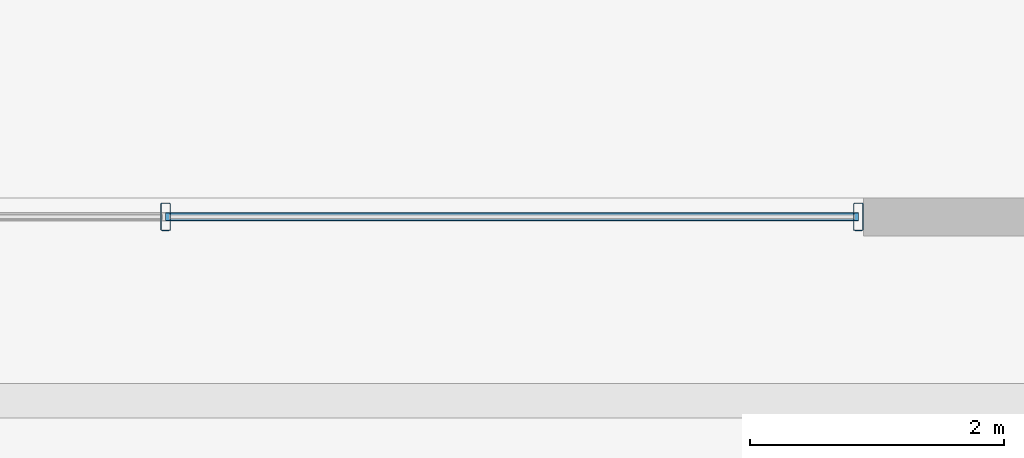
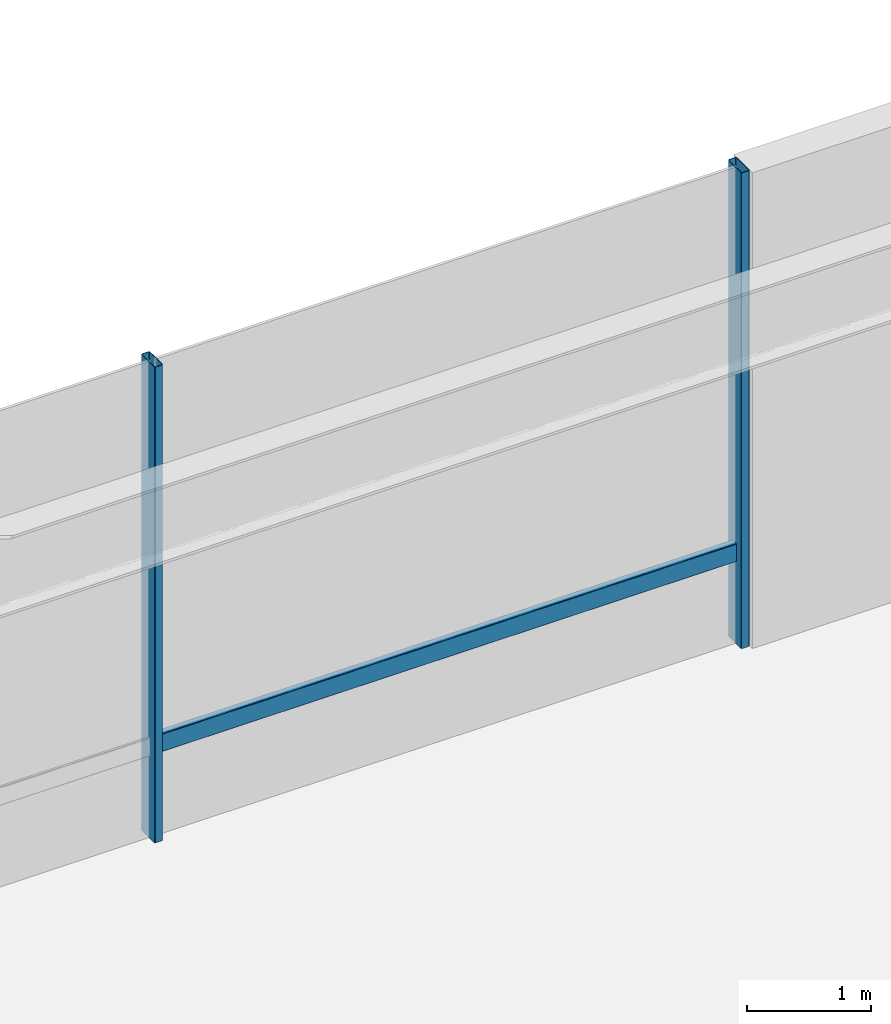
# One storey, part 16 of 38: 3 members, 1 element without a shape of its own.
"""IFC4 building model written with IfcOpenShell, lengths in metres."""

from ifc_helpers import new_model, si_unit, direction, frame, origin, origin_2d, place, context, subcontext, project, spatial, hollow_rectangle, extrude, material, layer, layer_set, material_profile, profile_set, type_object, element, aggregate, save


model = new_model("IFC4")

# Units and contexts
model_context = context("Model", 3, precision=1e-05, world=origin(), true_north=direction((0.0, 1.0)))
body_context = subcontext(model_context, "Body", "Model", "MODEL_VIEW")
ifc_project = project(units=[si_unit("LENGTHUNIT", "METRE"), si_unit("AREAUNIT", "SQUARE_METRE"), si_unit("VOLUMEUNIT", "CUBIC_METRE"), si_unit("PLANEANGLEUNIT", "RADIAN"), si_unit("MASSUNIT", "GRAM", prefix="KILO")], contexts=[model_context])

# Site, building, storey
site_placement = place(None, origin())
site = spatial("IfcSite", under=ifc_project, at=site_placement, CompositionType="ELEMENT")
building_placement = place(site_placement, origin())
building = spatial("IfcBuilding", under=site, at=building_placement, Name="Korimba Cascade Residences", CompositionType="ELEMENT")
storey_placement = place(building_placement, frame((0.0, 0.0, 19.0)))
storey = spatial("IfcBuildingStorey", under=building, at=storey_placement, Name="L04", CompositionType="ELEMENT", Elevation=19.0)

# Curtain wall, members
ifc_material_1 = material(Name="Anodised Aluminium Curtain Wall Framing", Category="aluminium")
ifc_layer = layer(ifc_material_1, 0.179931640625)
ifc_layer_set = layer_set([ifc_layer], Name="Anodised Aluminium Curtain Wall Framing")
curtain_wall_type = type_object("IfcCurtainWallType", Name="CW-POD-SYS1", PredefinedType="NOTDEFINED", material=ifc_layer_set)
curtain_wall_placement = place(storey_placement, origin())
curtain_wall = element("IfcCurtainWall", 1, at=curtain_wall_placement, inside=storey, type_object=curtain_wall_type, Name="L04 Curtain Wall CW-L04-POD-N", PredefinedType="NOTDEFINED")
ifc_material_2 = material(Name="Anodised Aluminium Mullion", Category="aluminium")
ifc_material_profile_1 = material_profile(ifc_material_2, hollow_rectangle(XDim=0.080078125, YDim=0.219970703125, WallThickness=0.00634765625, InnerFilletRadius=0.00634765625, OuterFilletRadius=0.0126953125, at=origin_2d()), Name="Anodised Aluminium Mullion")
ifc_profile_set_1 = profile_set([ifc_material_profile_1], Name="Anodised Aluminium Mullion")
member_type_1 = type_object("IfcMemberType", Name="CWM-MUL-220", PredefinedType="MULLION", material=ifc_profile_set_1)
member_1_placement = place(storey_placement, frame((107.9599609375, 99.050048828125, 0.0), z_axis=(0.0, 0.0, 1.0), x_axis=(-1.0, 0.0, 0.0)))
member_1 = element("IfcMember", 2, at=member_1_placement, type_object=member_type_1, Name="CW-L04-POD-N Mullion 1", PredefinedType="MULLION", context=body_context, shape_type="SweptSolid", body=[
    extrude(hollow_rectangle(XDim=0.080078125, YDim=0.219970703125, WallThickness=0.00634765625, InnerFilletRadius=0.00634765625, OuterFilletRadius=0.0126953125, at=origin_2d()), origin(), (0.0, 0.0, 1.0), 4.679931640625),
])
member_2_placement = place(storey_placement, frame((102.5, 99.050048828125, 0.0), z_axis=(0.0, 0.0, 1.0), x_axis=(-1.0, 0.0, 0.0)))
member_2 = element("IfcMember", 3, at=member_2_placement, type_object=member_type_1, Name="CW-L04-POD-N Mullion 2", PredefinedType="MULLION", context=body_context, shape_type="SweptSolid", body=[
    extrude(hollow_rectangle(XDim=0.080078125, YDim=0.219970703125, WallThickness=0.00634765625, InnerFilletRadius=0.00634765625, OuterFilletRadius=0.0126953125, at=origin_2d()), origin(), (0.0, 0.0, 1.0), 4.679931640625),
])
ifc_material_3 = material(Name="Anodised Aluminium Transom", Category="aluminium")
ifc_material_profile_2 = material_profile(ifc_material_3, hollow_rectangle(XDim=0.070068359375, YDim=0.179931640625, WallThickness=0.0048828125, InnerFilletRadius=0.0048828125, OuterFilletRadius=0.010009765625, at=origin_2d()), Name="Anodised Aluminium Transom")
ifc_profile_set_2 = profile_set([ifc_material_profile_2], Name="Anodised Aluminium Transom")
member_type_2 = type_object("IfcMemberType", Name="CWM-TRN-150", PredefinedType="USERDEFINED", material=ifc_profile_set_2)
member_3_placement = place(storey_placement, frame((107.9599609375, 99.050048828125, 0.89990234375), z_axis=(-1.0, 0.0, 0.0), x_axis=(0.0, -1.0, 0.0)))
member_3 = element("IfcMember", 4, at=member_3_placement, type_object=member_type_2, Name="CW-L04-POD-N Transom 1", ObjectType="TRANSOM", PredefinedType="USERDEFINED", context=body_context, shape_type="SweptSolid", body=[
    extrude(hollow_rectangle(XDim=0.070068359375, YDim=0.179931640625, WallThickness=0.0048828125, InnerFilletRadius=0.0048828125, OuterFilletRadius=0.010009765625, at=origin_2d()), origin(), (0.0, 0.0, 1.0), 5.4599609375),
])
aggregate(curtain_wall, [member_1, member_2, member_3])

save(model, "model.ifc")
